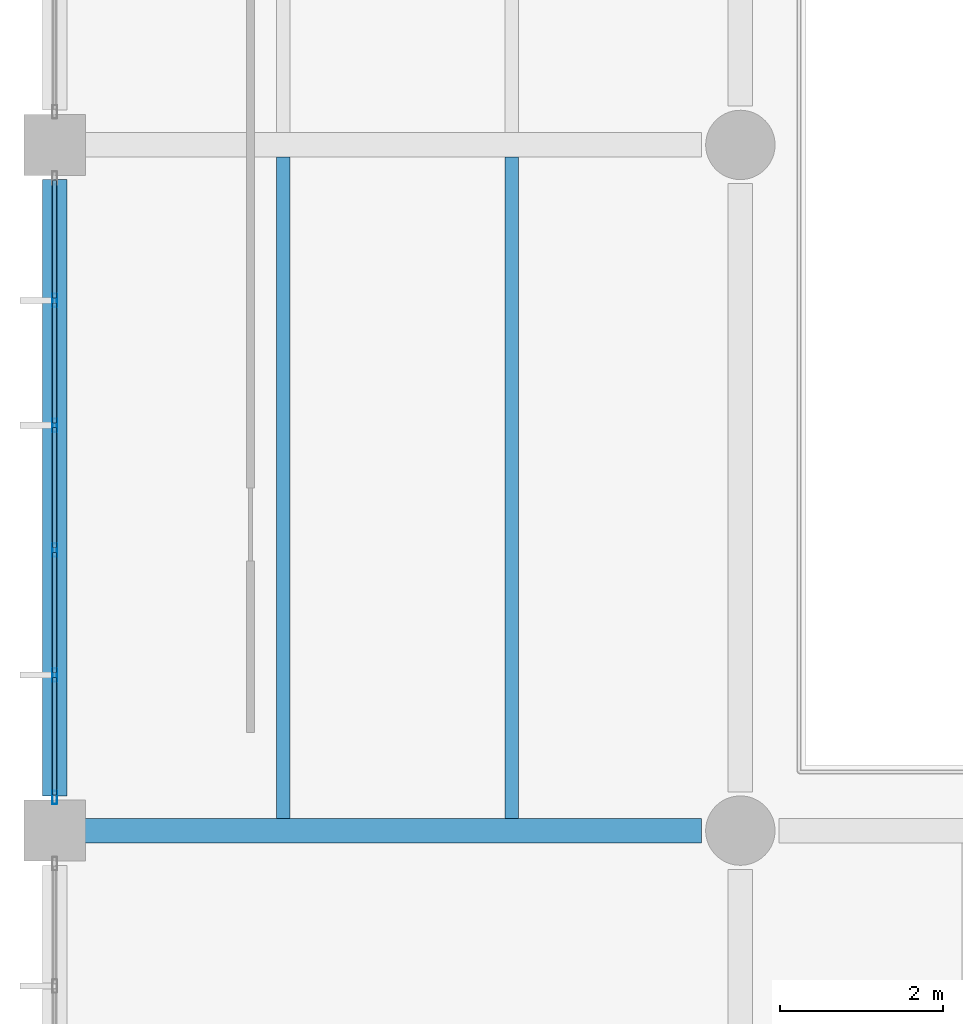
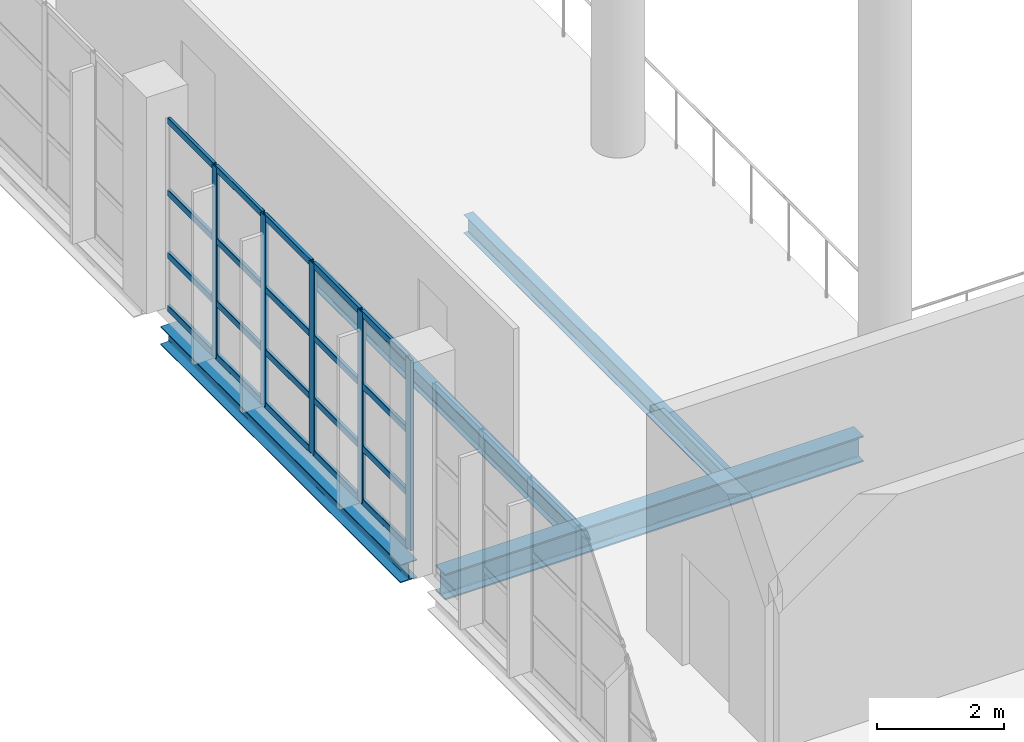
# One storey, part 50 of 177: 25 members, 4 beams, 1 element without a shape of its own.
"""IFC4 building model written with IfcOpenShell, lengths in metres."""

from ifc_helpers import new_model, si_unit, direction, frame, origin, origin_2d, place, context, subcontext, project, spatial, hollow_rectangle, i_section, extrude, material, layer, layer_set, material_profile, profile_set, type_object, element, aggregate, save


model = new_model("IFC4")

# Units and contexts
model_context = context("Model", 3, precision=1e-05, world=origin(), true_north=direction((0.0, 1.0)))
body_context = subcontext(model_context, "Body", "Model", "MODEL_VIEW")
ifc_project = project(units=[si_unit("LENGTHUNIT", "METRE"), si_unit("AREAUNIT", "SQUARE_METRE"), si_unit("VOLUMEUNIT", "CUBIC_METRE"), si_unit("PLANEANGLEUNIT", "RADIAN"), si_unit("MASSUNIT", "GRAM", prefix="KILO"), si_unit("THERMODYNAMICTEMPERATUREUNIT", "KELVIN"), si_unit("POWERUNIT", "WATT")], contexts=[model_context])

# Site, building, storey
site_placement = place(None, origin())
site = spatial("IfcSite", under=ifc_project, at=site_placement, CompositionType="ELEMENT")
building_placement = place(site_placement, origin())
building = spatial("IfcBuilding", under=site, at=building_placement, Name="Mavoryth Pier Ferry Terminal", CompositionType="ELEMENT")
storey_placement = place(building_placement, frame((0.0, 0.0, 5.43994140625)))
storey = spatial("IfcBuildingStorey", under=building, at=storey_placement, Name="L01", CompositionType="ELEMENT", Elevation=5.43994140625)

# Beams
ifc_material_1 = material(Name="Steel S355J2", Category="steel")
ifc_material_profile_1 = material_profile(ifc_material_1, i_section(OverallWidth=0.300048828125, OverallDepth=0.5, WebThickness=0.014404296875, FlangeThickness=0.028076171875, FilletRadius=0.027099609375, at=origin_2d()), Name="HEB 500", Category="steel")
ifc_profile_set_1 = profile_set([ifc_material_profile_1], Name="Steel S355J2 - HEB 500")
beam_type_1 = type_object("IfcBeamType", Name="Beam-Steel-HEB500", PredefinedType="BEAM", material=ifc_profile_set_1)
beam_1_placement = place(storey_placement, frame((0.324951171875, 64.0, -0.530029296875), z_axis=(1.0, 0.0, 0.0), x_axis=(0.0, 1.0, 0.0)))
element("IfcBeam", 1, at=beam_1_placement, inside=storey, type_object=beam_type_1, Name="Beam B01-SB01-0056", PredefinedType="BEAM", context=body_context, shape_type="SweptSolid", body=[
    extrude(i_section(OverallWidth=0.300048828125, OverallDepth=0.5, WebThickness=0.014404296875, FlangeThickness=0.028076171875, FilletRadius=0.027099609375, at=origin_2d()), origin(), (0.0, 0.0, 1.0), 7.60009765625),
])
ifc_material_profile_2 = material_profile(ifc_material_1, i_section(OverallWidth=0.169921875, OverallDepth=0.360107421875, WebThickness=0.008056640625, FlangeThickness=0.0126953125, FilletRadius=0.01806640625, at=origin_2d()), Name="IPE 360", Category="steel")
ifc_profile_set_2 = profile_set([ifc_material_profile_2], Name="Steel S355J2 - IPE 360")
beam_type_2 = type_object("IfcBeamType", Name="Joist-Steel-IPE360", PredefinedType="JOIST", material=ifc_profile_set_2)
for number, where, z_axis, x_axis, name in (
    (2, (2.800048828125, 64.14990234375, -0.4599609375), (0.0, 1.0, 0.0), (-1.0, 0.0, 0.0), "Beam B01-SJ02-0113"),
    (3, (5.60009765625, 64.14990234375, -0.4599609375), (0.0, 1.0, 0.0), (-1.0, 0.0, 0.0), "Beam B01-SJ02-0114"),
):
    element("IfcBeam", number, at=place(storey_placement, frame(where, z_axis=z_axis, x_axis=x_axis)), inside=storey, type_object=beam_type_2, Name=name, PredefinedType="JOIST", context=body_context, shape_type="SweptSolid", body=[
        extrude(i_section(OverallWidth=0.169921875, OverallDepth=0.360107421875, WebThickness=0.008056640625, FlangeThickness=0.0126953125, FilletRadius=0.01806640625, at=origin_2d()), origin(), (0.0, 0.0, 1.0), 8.10009765625),
    ])

# Curtain wall, members
ifc_material_2 = material(Name="Anodised Aluminium and Solar-Control Low-E Glass", Category="aluminium")
ifc_layer = layer(ifc_material_2, 0.179931640625, Name="Anodised Aluminium and Solar-Control Low-E Glass", Category="aluminium")
ifc_layer_set = layer_set([ifc_layer], Name="Anodised Aluminium and Solar-Control Low-E Glass - CW-Concourse-Mod1400")
curtain_wall_type = type_object("IfcCurtainWallType", Name="CW-Concourse-Mod1400", PredefinedType="USERDEFINED", material=ifc_layer_set)
curtain_wall_placement = place(storey_placement, origin())
curtain_wall = element("IfcCurtainWall", 4, at=curtain_wall_placement, inside=storey, type_object=curtain_wall_type, Name="Curtain Wall CW-0122-015", ObjectType="UNITISED CURTAIN WALL", PredefinedType="USERDEFINED")
ifc_material_3 = material(Name="Anodised Aluminium EN AW-6063", Category="aluminium")
ifc_material_profile_3 = material_profile(ifc_material_3, hollow_rectangle(XDim=0.06005859375, YDim=0.1650390625, WallThickness=0.00390625, InnerFilletRadius=0.00390625, OuterFilletRadius=0.008056640625, at=origin_2d()), Name="AL-MULL 165x60x4", Category="aluminium")
ifc_profile_set_3 = profile_set([ifc_material_profile_3], Name="Anodised Aluminium EN AW-6063 - AL-MULL 165x60x4")
member_type_1 = type_object("IfcMemberType", Name="Mullion-Alum-165x60", PredefinedType="MULLION", material=ifc_profile_set_3)
member_1_placement = place(storey_placement, frame((0.0, 70.4951171875, 0.0), z_axis=(0.0, 0.0, 1.0), x_axis=(1.0, 0.0, 0.0)))
member_1 = element("IfcMember", 5, at=member_1_placement, type_object=member_type_1, Name="CW01 mullion 2", PredefinedType="MULLION", context=body_context, shape_type="SweptSolid", body=[
    extrude(hollow_rectangle(XDim=0.06005859375, YDim=0.1650390625, WallThickness=0.00390625, InnerFilletRadius=0.00390625, OuterFilletRadius=0.008056640625, at=origin_2d()), origin(), (0.0, 0.0, 1.0), 3.66015625),
])
member_2_placement = place(storey_placement, frame((0.0, 68.965087890625, 0.0), z_axis=(0.0, 0.0, 1.0), x_axis=(1.0, 0.0, 0.0)))
member_2 = element("IfcMember", 6, at=member_2_placement, type_object=member_type_1, Name="CW01 mullion 3", PredefinedType="MULLION", context=body_context, shape_type="SweptSolid", body=[
    extrude(hollow_rectangle(XDim=0.06005859375, YDim=0.1650390625, WallThickness=0.00390625, InnerFilletRadius=0.00390625, OuterFilletRadius=0.008056640625, at=origin_2d()), origin(), (0.0, 0.0, 1.0), 3.66015625),
])
member_3_placement = place(storey_placement, frame((0.0, 67.43505859375, 0.0), z_axis=(0.0, 0.0, 1.0), x_axis=(1.0, 0.0, 0.0)))
member_3 = element("IfcMember", 7, at=member_3_placement, type_object=member_type_1, Name="CW01 mullion 4", PredefinedType="MULLION", context=body_context, shape_type="SweptSolid", body=[
    extrude(hollow_rectangle(XDim=0.06005859375, YDim=0.1650390625, WallThickness=0.00390625, InnerFilletRadius=0.00390625, OuterFilletRadius=0.008056640625, at=origin_2d()), origin(), (0.0, 0.0, 1.0), 3.66015625),
])
member_4_placement = place(storey_placement, frame((0.0, 65.905029296875, 0.0), z_axis=(0.0, 0.0, 1.0), x_axis=(1.0, 0.0, 0.0)))
member_4 = element("IfcMember", 8, at=member_4_placement, type_object=member_type_1, Name="CW01 mullion 5", PredefinedType="MULLION", context=body_context, shape_type="SweptSolid", body=[
    extrude(hollow_rectangle(XDim=0.06005859375, YDim=0.1650390625, WallThickness=0.00390625, InnerFilletRadius=0.00390625, OuterFilletRadius=0.008056640625, at=origin_2d()), origin(), (0.0, 0.0, 1.0), 3.66015625),
])
member_5_placement = place(storey_placement, frame((0.0, 64.405029296875, 0.0), z_axis=(0.0, 0.0, 1.0), x_axis=(1.0, 0.0, 0.0)))
member_5 = element("IfcMember", 9, at=member_5_placement, type_object=member_type_1, Name="CW01 mullion 6", PredefinedType="MULLION", context=body_context, shape_type="SweptSolid", body=[
    extrude(hollow_rectangle(XDim=0.06005859375, YDim=0.1650390625, WallThickness=0.00390625, InnerFilletRadius=0.00390625, OuterFilletRadius=0.008056640625, at=origin_2d()), origin(), (0.0, 0.0, 1.0), 3.66015625),
])

# Beam
ifc_material_profile_4 = material_profile(ifc_material_1, i_section(OverallWidth=0.300048828125, OverallDepth=0.35009765625, WebThickness=0.010009765625, FlangeThickness=0.017578125, FilletRadius=0.027099609375, at=origin_2d()), Name="HEA 360", Category="steel")
ifc_profile_set_4 = profile_set([ifc_material_profile_4], Name="Steel S355J2 - HEA 360")
beam_type_3 = type_object("IfcBeamType", Name="Spandrel-Steel-HEA360", PredefinedType="SPANDREL", material=ifc_profile_set_4)
beam_2_placement = place(storey_placement, frame((0.0, 64.425048828125, -0.454833984375), z_axis=(0.0, 1.0, 0.0), x_axis=(-1.0, 0.0, 0.0)))
element("IfcBeam", 10, at=beam_2_placement, inside=storey, type_object=beam_type_3, Name="Beam B01-SP03-0080", PredefinedType="SPANDREL", context=body_context, shape_type="SweptSolid", body=[
    extrude(i_section(OverallWidth=0.300048828125, OverallDepth=0.35009765625, WebThickness=0.010009765625, FlangeThickness=0.017578125, FilletRadius=0.027099609375, at=origin_2d()), origin(), (0.0, 0.0, 1.0), 7.550048828125),
])

# Member
ifc_material_profile_5 = material_profile(ifc_material_3, hollow_rectangle(XDim=0.06005859375, YDim=0.125, WallThickness=0.00390625, InnerFilletRadius=0.00390625, OuterFilletRadius=0.008056640625, at=origin_2d()), Name="AL-TRAN 125x60x4", Category="aluminium")
ifc_profile_set_5 = profile_set([ifc_material_profile_5], Name="Anodised Aluminium EN AW-6063 - AL-TRAN 125x60x4")
member_type_2 = type_object("IfcMemberType", Name="Transom-Alum-125x60", PredefinedType="USERDEFINED", material=ifc_profile_set_5)
member_6_placement = place(storey_placement, frame((0.0, 71.965087890625, 0.030029296875), z_axis=(0.0, -1.0, 0.0), x_axis=(1.0, 0.0, 0.0)))
member_6 = element("IfcMember", 11, at=member_6_placement, type_object=member_type_2, Name="CW01 transom 1.1", ObjectType="TRANSOM", PredefinedType="USERDEFINED", context=body_context, shape_type="SweptSolid", body=[
    extrude(hollow_rectangle(XDim=0.06005859375, YDim=0.125, WallThickness=0.00390625, InnerFilletRadius=0.00390625, OuterFilletRadius=0.008056640625, at=origin_2d()), origin(), (0.0, 0.0, 1.0), 1.440185546875),
])

member_7_placement = place(storey_placement, frame((0.0, 71.965087890625, 1.050048828125), z_axis=(0.0, -1.0, 0.0), x_axis=(1.0, 0.0, 0.0)))
member_7 = element("IfcMember", 12, at=member_7_placement, type_object=member_type_2, Name="CW01 transom 1.2", ObjectType="TRANSOM", PredefinedType="USERDEFINED", context=body_context, shape_type="SweptSolid", body=[
    extrude(hollow_rectangle(XDim=0.06005859375, YDim=0.125, WallThickness=0.00390625, InnerFilletRadius=0.00390625, OuterFilletRadius=0.008056640625, at=origin_2d()), origin(), (0.0, 0.0, 1.0), 1.440185546875),
])

member_8_placement = place(storey_placement, frame((0.0, 71.965087890625, 2.25), z_axis=(0.0, -1.0, 0.0), x_axis=(1.0, 0.0, 0.0)))
member_8 = element("IfcMember", 13, at=member_8_placement, type_object=member_type_2, Name="CW01 transom 1.3", ObjectType="TRANSOM", PredefinedType="USERDEFINED", context=body_context, shape_type="SweptSolid", body=[
    extrude(hollow_rectangle(XDim=0.06005859375, YDim=0.125, WallThickness=0.00390625, InnerFilletRadius=0.00390625, OuterFilletRadius=0.008056640625, at=origin_2d()), origin(), (0.0, 0.0, 1.0), 1.440185546875),
])

member_9_placement = place(storey_placement, frame((0.0, 71.965087890625, 3.630126953125), z_axis=(0.0, -1.0, 0.0), x_axis=(1.0, 0.0, 0.0)))
member_9 = element("IfcMember", 14, at=member_9_placement, type_object=member_type_2, Name="CW01 transom 1.4", ObjectType="TRANSOM", PredefinedType="USERDEFINED", context=body_context, shape_type="SweptSolid", body=[
    extrude(hollow_rectangle(XDim=0.06005859375, YDim=0.125, WallThickness=0.00390625, InnerFilletRadius=0.00390625, OuterFilletRadius=0.008056640625, at=origin_2d()), origin(), (0.0, 0.0, 1.0), 1.440185546875),
])

member_10_placement = place(storey_placement, frame((0.0, 70.465087890625, 0.030029296875), z_axis=(0.0, -1.0, 0.0), x_axis=(1.0, 0.0, 0.0)))
member_10 = element("IfcMember", 15, at=member_10_placement, type_object=member_type_2, Name="CW01 transom 2.1", ObjectType="TRANSOM", PredefinedType="USERDEFINED", context=body_context, shape_type="SweptSolid", body=[
    extrude(hollow_rectangle(XDim=0.06005859375, YDim=0.125, WallThickness=0.00390625, InnerFilletRadius=0.00390625, OuterFilletRadius=0.008056640625, at=origin_2d()), origin(), (0.0, 0.0, 1.0), 1.469970703125),
])

member_11_placement = place(storey_placement, frame((0.0, 70.465087890625, 1.050048828125), z_axis=(0.0, -1.0, 0.0), x_axis=(1.0, 0.0, 0.0)))
member_11 = element("IfcMember", 16, at=member_11_placement, type_object=member_type_2, Name="CW01 transom 2.2", ObjectType="TRANSOM", PredefinedType="USERDEFINED", context=body_context, shape_type="SweptSolid", body=[
    extrude(hollow_rectangle(XDim=0.06005859375, YDim=0.125, WallThickness=0.00390625, InnerFilletRadius=0.00390625, OuterFilletRadius=0.008056640625, at=origin_2d()), origin(), (0.0, 0.0, 1.0), 1.469970703125),
])

member_12_placement = place(storey_placement, frame((0.0, 70.465087890625, 2.25), z_axis=(0.0, -1.0, 0.0), x_axis=(1.0, 0.0, 0.0)))
member_12 = element("IfcMember", 17, at=member_12_placement, type_object=member_type_2, Name="CW01 transom 2.3", ObjectType="TRANSOM", PredefinedType="USERDEFINED", context=body_context, shape_type="SweptSolid", body=[
    extrude(hollow_rectangle(XDim=0.06005859375, YDim=0.125, WallThickness=0.00390625, InnerFilletRadius=0.00390625, OuterFilletRadius=0.008056640625, at=origin_2d()), origin(), (0.0, 0.0, 1.0), 1.469970703125),
])

member_13_placement = place(storey_placement, frame((0.0, 70.465087890625, 3.630126953125), z_axis=(0.0, -1.0, 0.0), x_axis=(1.0, 0.0, 0.0)))
member_13 = element("IfcMember", 18, at=member_13_placement, type_object=member_type_2, Name="CW01 transom 2.4", ObjectType="TRANSOM", PredefinedType="USERDEFINED", context=body_context, shape_type="SweptSolid", body=[
    extrude(hollow_rectangle(XDim=0.06005859375, YDim=0.125, WallThickness=0.00390625, InnerFilletRadius=0.00390625, OuterFilletRadius=0.008056640625, at=origin_2d()), origin(), (0.0, 0.0, 1.0), 1.469970703125),
])

member_14_placement = place(storey_placement, frame((0.0, 68.93505859375, 0.030029296875), z_axis=(0.0, -1.0, 0.0), x_axis=(1.0, 0.0, 0.0)))
member_14 = element("IfcMember", 19, at=member_14_placement, type_object=member_type_2, Name="CW01 transom 3.1", ObjectType="TRANSOM", PredefinedType="USERDEFINED", context=body_context, shape_type="SweptSolid", body=[
    extrude(hollow_rectangle(XDim=0.06005859375, YDim=0.125, WallThickness=0.00390625, InnerFilletRadius=0.00390625, OuterFilletRadius=0.008056640625, at=origin_2d()), origin(), (0.0, 0.0, 1.0), 1.469970703125),
])

member_15_placement = place(storey_placement, frame((0.0, 68.93505859375, 1.050048828125), z_axis=(0.0, -1.0, 0.0), x_axis=(1.0, 0.0, 0.0)))
member_15 = element("IfcMember", 20, at=member_15_placement, type_object=member_type_2, Name="CW01 transom 3.2", ObjectType="TRANSOM", PredefinedType="USERDEFINED", context=body_context, shape_type="SweptSolid", body=[
    extrude(hollow_rectangle(XDim=0.06005859375, YDim=0.125, WallThickness=0.00390625, InnerFilletRadius=0.00390625, OuterFilletRadius=0.008056640625, at=origin_2d()), origin(), (0.0, 0.0, 1.0), 1.469970703125),
])

member_16_placement = place(storey_placement, frame((0.0, 68.93505859375, 2.25), z_axis=(0.0, -1.0, 0.0), x_axis=(1.0, 0.0, 0.0)))
member_16 = element("IfcMember", 21, at=member_16_placement, type_object=member_type_2, Name="CW01 transom 3.3", ObjectType="TRANSOM", PredefinedType="USERDEFINED", context=body_context, shape_type="SweptSolid", body=[
    extrude(hollow_rectangle(XDim=0.06005859375, YDim=0.125, WallThickness=0.00390625, InnerFilletRadius=0.00390625, OuterFilletRadius=0.008056640625, at=origin_2d()), origin(), (0.0, 0.0, 1.0), 1.469970703125),
])

member_17_placement = place(storey_placement, frame((0.0, 68.93505859375, 3.630126953125), z_axis=(0.0, -1.0, 0.0), x_axis=(1.0, 0.0, 0.0)))
member_17 = element("IfcMember", 22, at=member_17_placement, type_object=member_type_2, Name="CW01 transom 3.4", ObjectType="TRANSOM", PredefinedType="USERDEFINED", context=body_context, shape_type="SweptSolid", body=[
    extrude(hollow_rectangle(XDim=0.06005859375, YDim=0.125, WallThickness=0.00390625, InnerFilletRadius=0.00390625, OuterFilletRadius=0.008056640625, at=origin_2d()), origin(), (0.0, 0.0, 1.0), 1.469970703125),
])

member_18_placement = place(storey_placement, frame((0.0, 67.405029296875, 0.030029296875), z_axis=(0.0, -1.0, 0.0), x_axis=(1.0, 0.0, 0.0)))
member_18 = element("IfcMember", 23, at=member_18_placement, type_object=member_type_2, Name="CW01 transom 4.1", ObjectType="TRANSOM", PredefinedType="USERDEFINED", context=body_context, shape_type="SweptSolid", body=[
    extrude(hollow_rectangle(XDim=0.06005859375, YDim=0.125, WallThickness=0.00390625, InnerFilletRadius=0.00390625, OuterFilletRadius=0.008056640625, at=origin_2d()), origin(), (0.0, 0.0, 1.0), 1.469970703125),
])

member_19_placement = place(storey_placement, frame((0.0, 67.405029296875, 1.050048828125), z_axis=(0.0, -1.0, 0.0), x_axis=(1.0, 0.0, 0.0)))
member_19 = element("IfcMember", 24, at=member_19_placement, type_object=member_type_2, Name="CW01 transom 4.2", ObjectType="TRANSOM", PredefinedType="USERDEFINED", context=body_context, shape_type="SweptSolid", body=[
    extrude(hollow_rectangle(XDim=0.06005859375, YDim=0.125, WallThickness=0.00390625, InnerFilletRadius=0.00390625, OuterFilletRadius=0.008056640625, at=origin_2d()), origin(), (0.0, 0.0, 1.0), 1.469970703125),
])

member_20_placement = place(storey_placement, frame((0.0, 67.405029296875, 2.25), z_axis=(0.0, -1.0, 0.0), x_axis=(1.0, 0.0, 0.0)))
member_20 = element("IfcMember", 25, at=member_20_placement, type_object=member_type_2, Name="CW01 transom 4.3", ObjectType="TRANSOM", PredefinedType="USERDEFINED", context=body_context, shape_type="SweptSolid", body=[
    extrude(hollow_rectangle(XDim=0.06005859375, YDim=0.125, WallThickness=0.00390625, InnerFilletRadius=0.00390625, OuterFilletRadius=0.008056640625, at=origin_2d()), origin(), (0.0, 0.0, 1.0), 1.469970703125),
])

member_21_placement = place(storey_placement, frame((0.0, 67.405029296875, 3.630126953125), z_axis=(0.0, -1.0, 0.0), x_axis=(1.0, 0.0, 0.0)))
member_21 = element("IfcMember", 26, at=member_21_placement, type_object=member_type_2, Name="CW01 transom 4.4", ObjectType="TRANSOM", PredefinedType="USERDEFINED", context=body_context, shape_type="SweptSolid", body=[
    extrude(hollow_rectangle(XDim=0.06005859375, YDim=0.125, WallThickness=0.00390625, InnerFilletRadius=0.00390625, OuterFilletRadius=0.008056640625, at=origin_2d()), origin(), (0.0, 0.0, 1.0), 1.469970703125),
])

member_22_placement = place(storey_placement, frame((0.0, 65.875, 0.030029296875), z_axis=(0.0, -1.0, 0.0), x_axis=(1.0, 0.0, 0.0)))
member_22 = element("IfcMember", 27, at=member_22_placement, type_object=member_type_2, Name="CW01 transom 5.1", ObjectType="TRANSOM", PredefinedType="USERDEFINED", context=body_context, shape_type="SweptSolid", body=[
    extrude(hollow_rectangle(XDim=0.06005859375, YDim=0.125, WallThickness=0.00390625, InnerFilletRadius=0.00390625, OuterFilletRadius=0.008056640625, at=origin_2d()), origin(), (0.0, 0.0, 1.0), 1.43994140625),
])

member_23_placement = place(storey_placement, frame((0.0, 65.875, 1.050048828125), z_axis=(0.0, -1.0, 0.0), x_axis=(1.0, 0.0, 0.0)))
member_23 = element("IfcMember", 28, at=member_23_placement, type_object=member_type_2, Name="CW01 transom 5.2", ObjectType="TRANSOM", PredefinedType="USERDEFINED", context=body_context, shape_type="SweptSolid", body=[
    extrude(hollow_rectangle(XDim=0.06005859375, YDim=0.125, WallThickness=0.00390625, InnerFilletRadius=0.00390625, OuterFilletRadius=0.008056640625, at=origin_2d()), origin(), (0.0, 0.0, 1.0), 1.43994140625),
])

member_24_placement = place(storey_placement, frame((0.0, 65.875, 2.25), z_axis=(0.0, -1.0, 0.0), x_axis=(1.0, 0.0, 0.0)))
member_24 = element("IfcMember", 29, at=member_24_placement, type_object=member_type_2, Name="CW01 transom 5.3", ObjectType="TRANSOM", PredefinedType="USERDEFINED", context=body_context, shape_type="SweptSolid", body=[
    extrude(hollow_rectangle(XDim=0.06005859375, YDim=0.125, WallThickness=0.00390625, InnerFilletRadius=0.00390625, OuterFilletRadius=0.008056640625, at=origin_2d()), origin(), (0.0, 0.0, 1.0), 1.43994140625),
])

member_25_placement = place(storey_placement, frame((0.0, 65.875, 3.630126953125), z_axis=(0.0, -1.0, 0.0), x_axis=(1.0, 0.0, 0.0)))
member_25 = element("IfcMember", 30, at=member_25_placement, type_object=member_type_2, Name="CW01 transom 5.4", ObjectType="TRANSOM", PredefinedType="USERDEFINED", context=body_context, shape_type="SweptSolid", body=[
    extrude(hollow_rectangle(XDim=0.06005859375, YDim=0.125, WallThickness=0.00390625, InnerFilletRadius=0.00390625, OuterFilletRadius=0.008056640625, at=origin_2d()), origin(), (0.0, 0.0, 1.0), 1.43994140625),
])

aggregate(curtain_wall, [member_1, member_2, member_3, member_4, member_5, member_6, member_7, member_8, member_9, member_10, member_11, member_12, member_13, member_14, member_15, member_16, member_17, member_18, member_19, member_20, member_21, member_22, member_23, member_24, member_25])

save(model, "model.ifc")
